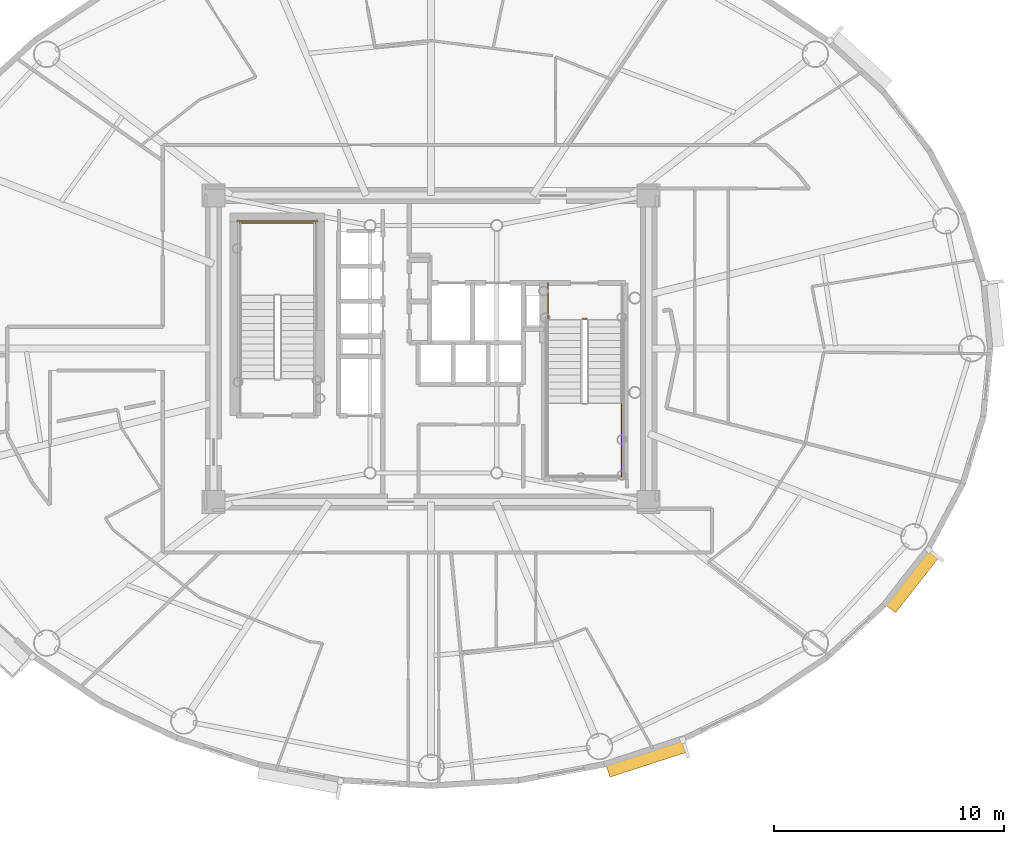
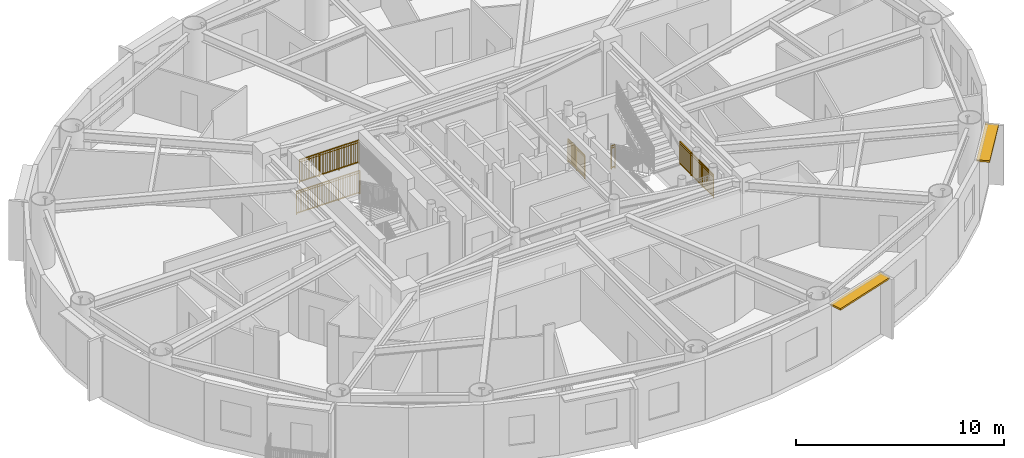
# One storey, part 15 of 16: 5 railings, 2 shading devices.
"""IFC4 building model written with IfcOpenShell, lengths in metres."""

from ifc_helpers import new_model, si_unit, direction, frame, origin, origin_2d, place, context, subcontext, project, spatial, rectangle, extrude, source, transform, mapped, material, layer, layer_set, type_object, element, save


model = new_model("IFC4")

# Units and contexts
model_context = context("Model", 3, precision=1e-05, world=origin(), true_north=direction((0.0, 1.0)))
body_context = subcontext(model_context, "Body", "Model", "MODEL_VIEW")
ifc_project = project(units=[si_unit("LENGTHUNIT", "METRE"), si_unit("AREAUNIT", "SQUARE_METRE"), si_unit("VOLUMEUNIT", "CUBIC_METRE"), si_unit("PLANEANGLEUNIT", "RADIAN"), si_unit("MASSUNIT", "GRAM", prefix="KILO")], contexts=[model_context])

# Site, building, storey
site_placement = place(None, origin())
site = spatial("IfcSite", under=ifc_project, at=site_placement, CompositionType="ELEMENT")
building_placement = place(site_placement, origin())
building = spatial("IfcBuilding", under=site, at=building_placement, Name="Linh Dai School and Residence Tower", CompositionType="ELEMENT")
storey_placement = place(building_placement, frame((0.0, 0.0, 255.300048828125)))
storey = spatial("IfcBuildingStorey", under=building, at=storey_placement, Name="L63", CompositionType="ELEMENT", Elevation=255.300048828125)

# Shading devices
ifc_material_1 = material(Name="Terracotta Ceramic Sunshade", Category="masonry")
ifc_layer = layer(ifc_material_1, 0.10009765625)
ifc_layer_set = layer_set([ifc_layer], Name="Terracotta Ceramic Sunshade")
shading_device_type = type_object("IfcShadingDeviceType", Name="SHD-TC-650", PredefinedType="USERDEFINED", material=ifc_layer_set)
shared_shape_1 = source(origin(), body_context, "Body", "SweptSolid", [
    extrude(rectangle(XDim=3.554443359375, YDim=0.64990234375, at=origin_2d()), origin(), (0.0, 0.0, 1.0), 0.10009765625),
])
shading_device_1_placement = place(storey_placement, frame((45.358154296875, 9.251220703125, 3.3798828125), z_axis=(0.0, 0.0, 1.0), x_axis=(-0.951223997135, -0.308501065272, 0.0)))
element("IfcShadingDevice", 1, at=shading_device_1_placement, inside=storey, type_object=shading_device_type, Name="L63 Terracotta Horizontal Sunshade Band 33", ObjectType="SUNSHADE", PredefinedType="USERDEFINED", context=body_context, shape_type="MappedRepresentation", body=[
    mapped(shared_shape_1, transform((0.0, 0.0, 0.0), x_axis=(1.0, 0.0, 0.0), y_axis=(0.0, 1.0, 0.0), z_axis=(0.0, 0.0, 1.0), scale=1.0)),
])
shared_shape_2 = source(origin(), body_context, "Body", "SweptSolid", [
    extrude(rectangle(XDim=3.095703125, YDim=0.64990234375, at=origin_2d()), origin(), (0.0, 0.0, 1.0), 0.10009765625),
])
shading_device_2_placement = place(storey_placement, frame((56.866455078125, 16.949462890625, 3.3798828125), z_axis=(0.0, 0.0, 1.0), x_axis=(-0.616333598027, -0.787485171888, 0.0)))
element("IfcShadingDevice", 2, at=shading_device_2_placement, inside=storey, type_object=shading_device_type, Name="L63 Terracotta Horizontal Sunshade Band 37", ObjectType="SUNSHADE", PredefinedType="USERDEFINED", context=body_context, shape_type="MappedRepresentation", body=[
    mapped(shared_shape_2, transform((0.0, 0.0, 0.0), x_axis=(1.0, 0.0, 0.0), y_axis=(0.0, 1.0, 0.0), z_axis=(0.0, 0.0, 1.0), scale=1.0)),
])

# Railings
ifc_material_2 = material(Name="Structural Steel S355JR", Category="steel")
railing_type = type_object("IfcRailingType", Name="RL-ST-GUARD-1400", PredefinedType="GUARDRAIL", material=ifc_material_2)
shared_shape_3 = source(origin(), body_context, "Body", "SweptSolid", [
    extrude(rectangle(XDim=0.048095703125, YDim=0.048095703125, at=origin_2d()), frame((0.0, 0.0, 1.3759765625), z_axis=(-1.0, 0.0, 0.0), x_axis=(0.0, -1.0, 0.0)), (0.0, 0.0, 1.0), 3.300048828125),
    extrude(rectangle(XDim=0.048095703125, YDim=0.048095703125, at=origin_2d()), frame((0.0, 0.0, 0.10009765625), z_axis=(-1.0, 0.0, 0.0), x_axis=(0.0, -1.0, 0.0)), (0.0, 0.0, 1.0), 3.300048828125),
    extrude(rectangle(XDim=0.030029296875, YDim=0.030029296875, at=origin_2d()), frame((0.0, 0.0, 1.239990234375), z_axis=(-1.0, 0.0, 0.0), x_axis=(0.0, -1.0, 0.0)), (0.0, 0.0, 1.0), 3.300048828125),
    extrude(rectangle(XDim=0.02001953125, YDim=0.02001953125, at=origin_2d()), frame((-0.09716796875, 0.0, 0.10009765625)), (0.0, 0.0, 1.0), 1.251708984375),
    extrude(rectangle(XDim=0.02001953125, YDim=0.02001953125, at=origin_2d()), frame((-0.194091796875, 0.0, 0.10009765625)), (0.0, 0.0, 1.0), 1.251708984375),
    extrude(rectangle(XDim=0.02001953125, YDim=0.02001953125, at=origin_2d()), frame((-0.291259765625, 0.0, 0.10009765625)), (0.0, 0.0, 1.0), 1.251708984375),
    extrude(rectangle(XDim=0.02001953125, YDim=0.02001953125, at=origin_2d()), frame((-0.38818359375, 0.0, 0.10009765625)), (0.0, 0.0, 1.0), 1.251708984375),
    extrude(rectangle(XDim=0.02001953125, YDim=0.02001953125, at=origin_2d()), frame((-0.4853515625, 0.0, 0.10009765625)), (0.0, 0.0, 1.0), 1.251708984375),
    extrude(rectangle(XDim=0.02001953125, YDim=0.02001953125, at=origin_2d()), frame((-0.582275390625, 0.0, 0.10009765625)), (0.0, 0.0, 1.0), 1.251708984375),
    extrude(rectangle(XDim=0.02001953125, YDim=0.02001953125, at=origin_2d()), frame((-0.679443359375, 0.0, 0.10009765625)), (0.0, 0.0, 1.0), 1.251708984375),
    extrude(rectangle(XDim=0.02001953125, YDim=0.02001953125, at=origin_2d()), frame((-0.7763671875, 0.0, 0.10009765625)), (0.0, 0.0, 1.0), 1.251708984375),
    extrude(rectangle(XDim=0.02001953125, YDim=0.02001953125, at=origin_2d()), frame((-0.87353515625, 0.0, 0.10009765625)), (0.0, 0.0, 1.0), 1.251708984375),
    extrude(rectangle(XDim=0.02001953125, YDim=0.02001953125, at=origin_2d()), frame((-0.970703125, 0.0, 0.10009765625)), (0.0, 0.0, 1.0), 1.251708984375),
    extrude(rectangle(XDim=0.02001953125, YDim=0.02001953125, at=origin_2d()), frame((-1.164794921875, 0.0, 0.10009765625)), (0.0, 0.0, 1.0), 1.251708984375),
    extrude(rectangle(XDim=0.02001953125, YDim=0.02001953125, at=origin_2d()), frame((-1.26171875, 0.0, 0.10009765625)), (0.0, 0.0, 1.0), 1.251708984375),
    extrude(rectangle(XDim=0.02001953125, YDim=0.02001953125, at=origin_2d()), frame((-1.35888671875, 0.0, 0.10009765625)), (0.0, 0.0, 1.0), 1.251708984375),
    extrude(rectangle(XDim=0.02001953125, YDim=0.02001953125, at=origin_2d()), frame((-1.455810546875, 0.0, 0.10009765625)), (0.0, 0.0, 1.0), 1.251708984375),
    extrude(rectangle(XDim=0.02001953125, YDim=0.02001953125, at=origin_2d()), frame((-1.552978515625, 0.0, 0.10009765625)), (0.0, 0.0, 1.0), 1.251708984375),
    extrude(rectangle(XDim=0.02001953125, YDim=0.02001953125, at=origin_2d()), frame((-1.64990234375, 0.0, 0.10009765625)), (0.0, 0.0, 1.0), 1.251708984375),
    extrude(rectangle(XDim=0.02001953125, YDim=0.02001953125, at=origin_2d()), frame((-1.7470703125, 0.0, 0.10009765625)), (0.0, 0.0, 1.0), 1.251708984375),
    extrude(rectangle(XDim=0.02001953125, YDim=0.02001953125, at=origin_2d()), frame((-1.84423828125, 0.0, 0.10009765625)), (0.0, 0.0, 1.0), 1.251708984375),
    extrude(rectangle(XDim=0.02001953125, YDim=0.02001953125, at=origin_2d()), frame((-1.941162109375, 0.0, 0.10009765625)), (0.0, 0.0, 1.0), 1.251708984375),
    extrude(rectangle(XDim=0.02001953125, YDim=0.02001953125, at=origin_2d()), frame((-2.038330078125, 0.0, 0.10009765625)), (0.0, 0.0, 1.0), 1.251708984375),
    extrude(rectangle(XDim=0.02001953125, YDim=0.02001953125, at=origin_2d()), frame((-2.13525390625, 0.0, 0.10009765625)), (0.0, 0.0, 1.0), 1.251708984375),
    extrude(rectangle(XDim=0.02001953125, YDim=0.02001953125, at=origin_2d()), frame((-2.329345703125, 0.0, 0.10009765625)), (0.0, 0.0, 1.0), 1.251708984375),
    extrude(rectangle(XDim=0.02001953125, YDim=0.02001953125, at=origin_2d()), frame((-2.426513671875, 0.0, 0.10009765625)), (0.0, 0.0, 1.0), 1.251708984375),
    extrude(rectangle(XDim=0.02001953125, YDim=0.02001953125, at=origin_2d()), frame((-2.523681640625, 0.0, 0.10009765625)), (0.0, 0.0, 1.0), 1.251708984375),
    extrude(rectangle(XDim=0.02001953125, YDim=0.02001953125, at=origin_2d()), frame((-2.62060546875, 0.0, 0.10009765625)), (0.0, 0.0, 1.0), 1.251708984375),
    extrude(rectangle(XDim=0.02001953125, YDim=0.02001953125, at=origin_2d()), frame((-2.7177734375, 0.0, 0.10009765625)), (0.0, 0.0, 1.0), 1.251708984375),
    extrude(rectangle(XDim=0.02001953125, YDim=0.02001953125, at=origin_2d()), frame((-2.814697265625, 0.0, 0.10009765625)), (0.0, 0.0, 1.0), 1.251708984375),
    extrude(rectangle(XDim=0.02001953125, YDim=0.02001953125, at=origin_2d()), frame((-2.911865234375, 0.0, 0.10009765625)), (0.0, 0.0, 1.0), 1.251708984375),
    extrude(rectangle(XDim=0.02001953125, YDim=0.02001953125, at=origin_2d()), frame((-3.0087890625, 0.0, 0.10009765625)), (0.0, 0.0, 1.0), 1.251708984375),
    extrude(rectangle(XDim=0.02001953125, YDim=0.02001953125, at=origin_2d()), frame((-3.10595703125, 0.0, 0.10009765625)), (0.0, 0.0, 1.0), 1.251708984375),
    extrude(rectangle(XDim=0.02001953125, YDim=0.02001953125, at=origin_2d()), frame((-3.202880859375, 0.0, 0.10009765625)), (0.0, 0.0, 1.0), 1.251708984375),
    extrude(rectangle(XDim=0.0419921875, YDim=0.0419921875, at=origin_2d()), origin(), (0.0, 0.0, 1.0), 1.3759765625),
    extrude(rectangle(XDim=0.0419921875, YDim=0.0419921875, at=origin_2d()), frame((-1.10009765625, 0.0, 0.0)), (0.0, 0.0, 1.0), 1.3759765625),
    extrude(rectangle(XDim=0.0419921875, YDim=0.0419921875, at=origin_2d()), frame((-2.199951171875, 0.0, 0.0)), (0.0, 0.0, 1.0), 1.3759765625),
    extrude(rectangle(XDim=0.0419921875, YDim=0.0419921875, at=origin_2d()), frame((-3.300048828125, 0.0, 0.0)), (0.0, 0.0, 1.0), 1.3759765625),
])
railing_1_placement = place(storey_placement, frame((30.97998046875, 32.449951171875, 1.875)))
element("IfcRailing", 3, at=railing_1_placement, inside=storey, type_object=railing_type, Name="L63 ST1 stair guard 5", PredefinedType="GUARDRAIL", context=body_context, shape_type="MappedRepresentation", body=[
    mapped(shared_shape_3, transform((0.0, 0.0, 0.0), x_axis=(1.0, 0.0, 0.0), y_axis=(0.0, 1.0, 0.0), z_axis=(0.0, 0.0, 1.0), scale=1.0)),
])
shared_shape_4 = source(origin(), body_context, "Body", "SweptSolid", [
    extrude(rectangle(XDim=0.048095703125, YDim=0.048095703125, at=origin_2d()), frame((0.0, 0.0, 1.3759765625), z_axis=(-1.0, 0.0, 0.0), x_axis=(0.0, -1.0, 0.0)), (0.0, 0.0, 1.0), 3.5),
    extrude(rectangle(XDim=0.048095703125, YDim=0.048095703125, at=origin_2d()), frame((0.0, 0.0, 0.10009765625), z_axis=(-1.0, 0.0, 0.0), x_axis=(0.0, -1.0, 0.0)), (0.0, 0.0, 1.0), 3.5),
    extrude(rectangle(XDim=0.030029296875, YDim=0.030029296875, at=origin_2d()), frame((0.0, 0.0, 1.239990234375), z_axis=(-1.0, 0.0, 0.0), x_axis=(0.0, -1.0, 0.0)), (0.0, 0.0, 1.0), 3.5),
    extrude(rectangle(XDim=0.02001953125, YDim=0.02001953125, at=origin_2d()), frame((-0.09716796875, 0.0, 0.10009765625)), (0.0, 0.0, 1.0), 1.251708984375),
    extrude(rectangle(XDim=0.02001953125, YDim=0.02001953125, at=origin_2d()), frame((-0.1943359375, 0.0, 0.10009765625)), (0.0, 0.0, 1.0), 1.251708984375),
    extrude(rectangle(XDim=0.02001953125, YDim=0.02001953125, at=origin_2d()), frame((-0.291748046875, 0.0, 0.10009765625)), (0.0, 0.0, 1.0), 1.251708984375),
    extrude(rectangle(XDim=0.02001953125, YDim=0.02001953125, at=origin_2d()), frame((-0.388916015625, 0.0, 0.10009765625)), (0.0, 0.0, 1.0), 1.251708984375),
    extrude(rectangle(XDim=0.02001953125, YDim=0.02001953125, at=origin_2d()), frame((-0.486083984375, 0.0, 0.10009765625)), (0.0, 0.0, 1.0), 1.251708984375),
    extrude(rectangle(XDim=0.02001953125, YDim=0.02001953125, at=origin_2d()), frame((-0.583251953125, 0.0, 0.10009765625)), (0.0, 0.0, 1.0), 1.251708984375),
    extrude(rectangle(XDim=0.02001953125, YDim=0.02001953125, at=origin_2d()), frame((-0.6806640625, 0.0, 0.10009765625)), (0.0, 0.0, 1.0), 1.251708984375),
    extrude(rectangle(XDim=0.02001953125, YDim=0.02001953125, at=origin_2d()), frame((-0.77783203125, 0.0, 0.10009765625)), (0.0, 0.0, 1.0), 1.251708984375),
    extrude(rectangle(XDim=0.02001953125, YDim=0.02001953125, at=origin_2d()), frame((-0.875, 0.0, 0.10009765625)), (0.0, 0.0, 1.0), 1.251708984375),
    extrude(rectangle(XDim=0.02001953125, YDim=0.02001953125, at=origin_2d()), frame((-0.97216796875, 0.0, 0.10009765625)), (0.0, 0.0, 1.0), 1.251708984375),
    extrude(rectangle(XDim=0.02001953125, YDim=0.02001953125, at=origin_2d()), frame((-1.0693359375, 0.0, 0.10009765625)), (0.0, 0.0, 1.0), 1.251708984375),
    extrude(rectangle(XDim=0.02001953125, YDim=0.02001953125, at=origin_2d()), frame((-1.263916015625, 0.0, 0.10009765625)), (0.0, 0.0, 1.0), 1.251708984375),
    extrude(rectangle(XDim=0.02001953125, YDim=0.02001953125, at=origin_2d()), frame((-1.361083984375, 0.0, 0.10009765625)), (0.0, 0.0, 1.0), 1.251708984375),
    extrude(rectangle(XDim=0.02001953125, YDim=0.02001953125, at=origin_2d()), frame((-1.458251953125, 0.0, 0.10009765625)), (0.0, 0.0, 1.0), 1.251708984375),
    extrude(rectangle(XDim=0.02001953125, YDim=0.02001953125, at=origin_2d()), frame((-1.5556640625, 0.0, 0.10009765625)), (0.0, 0.0, 1.0), 1.251708984375),
    extrude(rectangle(XDim=0.02001953125, YDim=0.02001953125, at=origin_2d()), frame((-1.65283203125, 0.0, 0.10009765625)), (0.0, 0.0, 1.0), 1.251708984375),
    extrude(rectangle(XDim=0.02001953125, YDim=0.02001953125, at=origin_2d()), frame((-1.75, 0.0, 0.10009765625)), (0.0, 0.0, 1.0), 1.251708984375),
    extrude(rectangle(XDim=0.02001953125, YDim=0.02001953125, at=origin_2d()), frame((-1.84716796875, 0.0, 0.10009765625)), (0.0, 0.0, 1.0), 1.251708984375),
    extrude(rectangle(XDim=0.02001953125, YDim=0.02001953125, at=origin_2d()), frame((-1.9443359375, 0.0, 0.10009765625)), (0.0, 0.0, 1.0), 1.251708984375),
    extrude(rectangle(XDim=0.02001953125, YDim=0.02001953125, at=origin_2d()), frame((-2.041748046875, 0.0, 0.10009765625)), (0.0, 0.0, 1.0), 1.251708984375),
    extrude(rectangle(XDim=0.02001953125, YDim=0.02001953125, at=origin_2d()), frame((-2.138916015625, 0.0, 0.10009765625)), (0.0, 0.0, 1.0), 1.251708984375),
    extrude(rectangle(XDim=0.02001953125, YDim=0.02001953125, at=origin_2d()), frame((-2.236083984375, 0.0, 0.10009765625)), (0.0, 0.0, 1.0), 1.251708984375),
    extrude(rectangle(XDim=0.02001953125, YDim=0.02001953125, at=origin_2d()), frame((-2.4306640625, 0.0, 0.10009765625)), (0.0, 0.0, 1.0), 1.251708984375),
    extrude(rectangle(XDim=0.02001953125, YDim=0.02001953125, at=origin_2d()), frame((-2.52783203125, 0.0, 0.10009765625)), (0.0, 0.0, 1.0), 1.251708984375),
    extrude(rectangle(XDim=0.02001953125, YDim=0.02001953125, at=origin_2d()), frame((-2.625, 0.0, 0.10009765625)), (0.0, 0.0, 1.0), 1.251708984375),
    extrude(rectangle(XDim=0.02001953125, YDim=0.02001953125, at=origin_2d()), frame((-2.72216796875, 0.0, 0.10009765625)), (0.0, 0.0, 1.0), 1.251708984375),
    extrude(rectangle(XDim=0.02001953125, YDim=0.02001953125, at=origin_2d()), frame((-2.8193359375, 0.0, 0.10009765625)), (0.0, 0.0, 1.0), 1.251708984375),
    extrude(rectangle(XDim=0.02001953125, YDim=0.02001953125, at=origin_2d()), frame((-2.916748046875, 0.0, 0.10009765625)), (0.0, 0.0, 1.0), 1.251708984375),
    extrude(rectangle(XDim=0.02001953125, YDim=0.02001953125, at=origin_2d()), frame((-3.013916015625, 0.0, 0.10009765625)), (0.0, 0.0, 1.0), 1.251708984375),
    extrude(rectangle(XDim=0.02001953125, YDim=0.02001953125, at=origin_2d()), frame((-3.111083984375, 0.0, 0.10009765625)), (0.0, 0.0, 1.0), 1.251708984375),
    extrude(rectangle(XDim=0.02001953125, YDim=0.02001953125, at=origin_2d()), frame((-3.208251953125, 0.0, 0.10009765625)), (0.0, 0.0, 1.0), 1.251708984375),
    extrude(rectangle(XDim=0.02001953125, YDim=0.02001953125, at=origin_2d()), frame((-3.3056640625, 0.0, 0.10009765625)), (0.0, 0.0, 1.0), 1.251708984375),
    extrude(rectangle(XDim=0.02001953125, YDim=0.02001953125, at=origin_2d()), frame((-3.40283203125, 0.0, 0.10009765625)), (0.0, 0.0, 1.0), 1.251708984375),
    extrude(rectangle(XDim=0.0419921875, YDim=0.0419921875, at=origin_2d()), origin(), (0.0, 0.0, 1.0), 1.3759765625),
    extrude(rectangle(XDim=0.0419921875, YDim=0.0419921875, at=origin_2d()), frame((-1.166748046875, 0.0, 0.0)), (0.0, 0.0, 1.0), 1.3759765625),
    extrude(rectangle(XDim=0.0419921875, YDim=0.0419921875, at=origin_2d()), frame((-2.333251953125, 0.0, 0.0)), (0.0, 0.0, 1.0), 1.3759765625),
    extrude(rectangle(XDim=0.0419921875, YDim=0.0419921875, at=origin_2d()), frame((-3.5, 0.0, 0.0)), (0.0, 0.0, 1.0), 1.3759765625),
])
railing_2_placement = place(storey_placement, frame((31.080078125, 32.550048828125, 0.0)))
element("IfcRailing", 4, at=railing_2_placement, inside=storey, type_object=railing_type, Name="L63 ST1 stair guard 12", PredefinedType="GUARDRAIL", context=body_context, shape_type="MappedRepresentation", body=[
    mapped(shared_shape_4, transform((0.0, 0.0, 0.0), x_axis=(1.0, 0.0, 0.0), y_axis=(0.0, 1.0, 0.0), z_axis=(0.0, 0.0, 1.0), scale=1.0)),
])
shared_shape_5 = source(origin(), body_context, "Body", "SweptSolid", [
    extrude(rectangle(XDim=0.048095703125, YDim=0.048095703125, at=origin_2d()), frame((0.0, 0.0, 1.3759765625), z_axis=(1.0, 0.0, 0.0), x_axis=(0.0, 1.0, 0.0)), (0.0, 0.0, 1.0), 0.199951171875),
    extrude(rectangle(XDim=0.048095703125, YDim=0.048095703125, at=origin_2d()), frame((0.0, 0.0, 0.10009765625), z_axis=(1.0, 0.0, 0.0), x_axis=(0.0, 1.0, 0.0)), (0.0, 0.0, 1.0), 0.199951171875),
    extrude(rectangle(XDim=0.030029296875, YDim=0.030029296875, at=origin_2d()), frame((0.0, 0.0, 1.239990234375), z_axis=(1.0, 0.0, 0.0), x_axis=(0.0, 1.0, 0.0)), (0.0, 0.0, 1.0), 0.199951171875),
    extrude(rectangle(XDim=0.0419921875, YDim=0.0419921875, at=origin_2d()), origin(), (0.0, 0.0, 1.0), 1.3759765625),
    extrude(rectangle(XDim=0.0419921875, YDim=0.0419921875, at=origin_2d()), frame((0.199951171875, 0.0, 0.0)), (0.0, 0.0, 1.0), 1.3759765625),
])
railing_3_placement = place(storey_placement, frame((42.570068359375, 28.300048828125, 0.0)))
element("IfcRailing", 5, at=railing_3_placement, inside=storey, type_object=railing_type, Name="L63 ST2 stair guard 7", PredefinedType="GUARDRAIL", context=body_context, shape_type="MappedRepresentation", body=[
    mapped(shared_shape_5, transform((0.0, 0.0, 0.0), x_axis=(1.0, 0.0, 0.0), y_axis=(0.0, 1.0, 0.0), z_axis=(0.0, 0.0, 1.0), scale=1.0)),
])
shared_shape_6 = source(origin(), body_context, "Body", "SweptSolid", [
    extrude(rectangle(XDim=0.048095703125, YDim=0.048095703125, at=origin_2d()), frame((0.0, 0.0, 1.3759765625), z_axis=(0.0, -1.0, 0.0), x_axis=(1.0, 0.0, 0.0)), (0.0, 0.0, 1.0), 1.60009765625),
    extrude(rectangle(XDim=0.048095703125, YDim=0.048095703125, at=origin_2d()), frame((0.0, 0.0, 0.10009765625), z_axis=(0.0, -1.0, 0.0), x_axis=(1.0, 0.0, 0.0)), (0.0, 0.0, 1.0), 1.60009765625),
    extrude(rectangle(XDim=0.030029296875, YDim=0.030029296875, at=origin_2d()), frame((0.0, 0.0, 1.239990234375), z_axis=(0.0, -1.0, 0.0), x_axis=(1.0, 0.0, 0.0)), (0.0, 0.0, 1.0), 1.60009765625),
    extrude(rectangle(XDim=0.02001953125, YDim=0.02001953125, at=origin_2d()), frame((0.0, -0.09423828125, 0.10009765625)), (0.0, 0.0, 1.0), 1.251708984375),
    extrude(rectangle(XDim=0.02001953125, YDim=0.02001953125, at=origin_2d()), frame((0.0, -0.188232421875, 0.10009765625)), (0.0, 0.0, 1.0), 1.251708984375),
    extrude(rectangle(XDim=0.02001953125, YDim=0.02001953125, at=origin_2d()), frame((0.0, -0.282470703125, 0.10009765625)), (0.0, 0.0, 1.0), 1.251708984375),
    extrude(rectangle(XDim=0.02001953125, YDim=0.02001953125, at=origin_2d()), frame((0.0, -0.37646484375, 0.10009765625)), (0.0, 0.0, 1.0), 1.251708984375),
    extrude(rectangle(XDim=0.02001953125, YDim=0.02001953125, at=origin_2d()), frame((0.0, -0.470703125, 0.10009765625)), (0.0, 0.0, 1.0), 1.251708984375),
    extrude(rectangle(XDim=0.02001953125, YDim=0.02001953125, at=origin_2d()), frame((0.0, -0.564697265625, 0.10009765625)), (0.0, 0.0, 1.0), 1.251708984375),
    extrude(rectangle(XDim=0.02001953125, YDim=0.02001953125, at=origin_2d()), frame((0.0, -0.658935546875, 0.10009765625)), (0.0, 0.0, 1.0), 1.251708984375),
    extrude(rectangle(XDim=0.02001953125, YDim=0.02001953125, at=origin_2d()), frame((0.0, -0.7529296875, 0.10009765625)), (0.0, 0.0, 1.0), 1.251708984375),
    extrude(rectangle(XDim=0.02001953125, YDim=0.02001953125, at=origin_2d()), frame((0.0, -0.84716796875, 0.10009765625)), (0.0, 0.0, 1.0), 1.251708984375),
    extrude(rectangle(XDim=0.02001953125, YDim=0.02001953125, at=origin_2d()), frame((0.0, -0.941162109375, 0.10009765625)), (0.0, 0.0, 1.0), 1.251708984375),
    extrude(rectangle(XDim=0.02001953125, YDim=0.02001953125, at=origin_2d()), frame((0.0, -1.035400390625, 0.10009765625)), (0.0, 0.0, 1.0), 1.251708984375),
    extrude(rectangle(XDim=0.02001953125, YDim=0.02001953125, at=origin_2d()), frame((0.0, -1.12939453125, 0.10009765625)), (0.0, 0.0, 1.0), 1.251708984375),
    extrude(rectangle(XDim=0.02001953125, YDim=0.02001953125, at=origin_2d()), frame((0.0, -1.2236328125, 0.10009765625)), (0.0, 0.0, 1.0), 1.251708984375),
    extrude(rectangle(XDim=0.02001953125, YDim=0.02001953125, at=origin_2d()), frame((0.0, -1.317626953125, 0.10009765625)), (0.0, 0.0, 1.0), 1.251708984375),
    extrude(rectangle(XDim=0.02001953125, YDim=0.02001953125, at=origin_2d()), frame((0.0, -1.411865234375, 0.10009765625)), (0.0, 0.0, 1.0), 1.251708984375),
    extrude(rectangle(XDim=0.02001953125, YDim=0.02001953125, at=origin_2d()), frame((0.0, -1.505859375, 0.10009765625)), (0.0, 0.0, 1.0), 1.251708984375),
    extrude(rectangle(XDim=0.0419921875, YDim=0.0419921875, at=origin_2d()), origin(), (0.0, 0.0, 1.0), 1.3759765625),
    extrude(rectangle(XDim=0.0419921875, YDim=0.0419921875, at=origin_2d()), frame((0.0, -0.800048828125, 0.0)), (0.0, 0.0, 1.0), 1.3759765625),
    extrude(rectangle(XDim=0.0419921875, YDim=0.0419921875, at=origin_2d()), frame((0.0, -1.60009765625, 0.0)), (0.0, 0.0, 1.0), 1.3759765625),
])
railing_4_placement = place(storey_placement, frame((41.070068359375, 29.85009765625, 0.0)))
element("IfcRailing", 6, at=railing_4_placement, inside=storey, type_object=railing_type, Name="L63 ST2 stair guard 8", PredefinedType="GUARDRAIL", context=body_context, shape_type="MappedRepresentation", body=[
    mapped(shared_shape_6, transform((0.0, 0.0, 0.0), x_axis=(1.0, 0.0, 0.0), y_axis=(0.0, 1.0, 0.0), z_axis=(0.0, 0.0, 1.0), scale=1.0)),
])
shared_shape_7 = source(origin(), body_context, "Body", "SweptSolid", [
    extrude(rectangle(XDim=0.048095703125, YDim=0.048095703125, at=origin_2d()), frame((0.0, 0.0, 1.3759765625), z_axis=(0.0, -1.0, 0.0), x_axis=(1.0, 0.0, 0.0)), (0.0, 0.0, 1.0), 3.199951171875),
    extrude(rectangle(XDim=0.048095703125, YDim=0.048095703125, at=origin_2d()), frame((0.0, 0.0, 0.10009765625), z_axis=(0.0, -1.0, 0.0), x_axis=(1.0, 0.0, 0.0)), (0.0, 0.0, 1.0), 3.199951171875),
    extrude(rectangle(XDim=0.030029296875, YDim=0.030029296875, at=origin_2d()), frame((0.0, 0.0, 1.239990234375), z_axis=(0.0, -1.0, 0.0), x_axis=(1.0, 0.0, 0.0)), (0.0, 0.0, 1.0), 3.199951171875),
    extrude(rectangle(XDim=0.02001953125, YDim=0.02001953125, at=origin_2d()), frame((0.0, -0.096923828125, 0.10009765625)), (0.0, 0.0, 1.0), 1.251708984375),
    extrude(rectangle(XDim=0.02001953125, YDim=0.02001953125, at=origin_2d()), frame((0.0, -0.19384765625, 0.10009765625)), (0.0, 0.0, 1.0), 1.251708984375),
    extrude(rectangle(XDim=0.02001953125, YDim=0.02001953125, at=origin_2d()), frame((0.0, -0.291015625, 0.10009765625)), (0.0, 0.0, 1.0), 1.251708984375),
    extrude(rectangle(XDim=0.02001953125, YDim=0.02001953125, at=origin_2d()), frame((0.0, -0.387939453125, 0.10009765625)), (0.0, 0.0, 1.0), 1.251708984375),
    extrude(rectangle(XDim=0.02001953125, YDim=0.02001953125, at=origin_2d()), frame((0.0, -0.48486328125, 0.10009765625)), (0.0, 0.0, 1.0), 1.251708984375),
    extrude(rectangle(XDim=0.02001953125, YDim=0.02001953125, at=origin_2d()), frame((0.0, -0.581787109375, 0.10009765625)), (0.0, 0.0, 1.0), 1.251708984375),
    extrude(rectangle(XDim=0.02001953125, YDim=0.02001953125, at=origin_2d()), frame((0.0, -0.6787109375, 0.10009765625)), (0.0, 0.0, 1.0), 1.251708984375),
    extrude(rectangle(XDim=0.02001953125, YDim=0.02001953125, at=origin_2d()), frame((0.0, -0.775634765625, 0.10009765625)), (0.0, 0.0, 1.0), 1.251708984375),
    extrude(rectangle(XDim=0.02001953125, YDim=0.02001953125, at=origin_2d()), frame((0.0, -0.872802734375, 0.10009765625)), (0.0, 0.0, 1.0), 1.251708984375),
    extrude(rectangle(XDim=0.02001953125, YDim=0.02001953125, at=origin_2d()), frame((0.0, -0.9697265625, 0.10009765625)), (0.0, 0.0, 1.0), 1.251708984375),
    extrude(rectangle(XDim=0.02001953125, YDim=0.02001953125, at=origin_2d()), frame((0.0, -1.16357421875, 0.10009765625)), (0.0, 0.0, 1.0), 1.251708984375),
    extrude(rectangle(XDim=0.02001953125, YDim=0.02001953125, at=origin_2d()), frame((0.0, -1.260498046875, 0.10009765625)), (0.0, 0.0, 1.0), 1.251708984375),
    extrude(rectangle(XDim=0.02001953125, YDim=0.02001953125, at=origin_2d()), frame((0.0, -1.357666015625, 0.10009765625)), (0.0, 0.0, 1.0), 1.251708984375),
    extrude(rectangle(XDim=0.02001953125, YDim=0.02001953125, at=origin_2d()), frame((0.0, -1.45458984375, 0.10009765625)), (0.0, 0.0, 1.0), 1.251708984375),
    extrude(rectangle(XDim=0.02001953125, YDim=0.02001953125, at=origin_2d()), frame((0.0, -1.551513671875, 0.10009765625)), (0.0, 0.0, 1.0), 1.251708984375),
    extrude(rectangle(XDim=0.02001953125, YDim=0.02001953125, at=origin_2d()), frame((0.0, -1.6484375, 0.10009765625)), (0.0, 0.0, 1.0), 1.251708984375),
    extrude(rectangle(XDim=0.02001953125, YDim=0.02001953125, at=origin_2d()), frame((0.0, -1.745361328125, 0.10009765625)), (0.0, 0.0, 1.0), 1.251708984375),
    extrude(rectangle(XDim=0.02001953125, YDim=0.02001953125, at=origin_2d()), frame((0.0, -1.84228515625, 0.10009765625)), (0.0, 0.0, 1.0), 1.251708984375),
    extrude(rectangle(XDim=0.02001953125, YDim=0.02001953125, at=origin_2d()), frame((0.0, -1.939453125, 0.10009765625)), (0.0, 0.0, 1.0), 1.251708984375),
    extrude(rectangle(XDim=0.02001953125, YDim=0.02001953125, at=origin_2d()), frame((0.0, -2.036376953125, 0.10009765625)), (0.0, 0.0, 1.0), 1.251708984375),
    extrude(rectangle(XDim=0.02001953125, YDim=0.02001953125, at=origin_2d()), frame((0.0, -2.230224609375, 0.10009765625)), (0.0, 0.0, 1.0), 1.251708984375),
    extrude(rectangle(XDim=0.02001953125, YDim=0.02001953125, at=origin_2d()), frame((0.0, -2.3271484375, 0.10009765625)), (0.0, 0.0, 1.0), 1.251708984375),
    extrude(rectangle(XDim=0.02001953125, YDim=0.02001953125, at=origin_2d()), frame((0.0, -2.42431640625, 0.10009765625)), (0.0, 0.0, 1.0), 1.251708984375),
    extrude(rectangle(XDim=0.02001953125, YDim=0.02001953125, at=origin_2d()), frame((0.0, -2.521240234375, 0.10009765625)), (0.0, 0.0, 1.0), 1.251708984375),
    extrude(rectangle(XDim=0.02001953125, YDim=0.02001953125, at=origin_2d()), frame((0.0, -2.6181640625, 0.10009765625)), (0.0, 0.0, 1.0), 1.251708984375),
    extrude(rectangle(XDim=0.02001953125, YDim=0.02001953125, at=origin_2d()), frame((0.0, -2.715087890625, 0.10009765625)), (0.0, 0.0, 1.0), 1.251708984375),
    extrude(rectangle(XDim=0.02001953125, YDim=0.02001953125, at=origin_2d()), frame((0.0, -2.81201171875, 0.10009765625)), (0.0, 0.0, 1.0), 1.251708984375),
    extrude(rectangle(XDim=0.02001953125, YDim=0.02001953125, at=origin_2d()), frame((0.0, -2.908935546875, 0.10009765625)), (0.0, 0.0, 1.0), 1.251708984375),
    extrude(rectangle(XDim=0.02001953125, YDim=0.02001953125, at=origin_2d()), frame((0.0, -3.006103515625, 0.10009765625)), (0.0, 0.0, 1.0), 1.251708984375),
    extrude(rectangle(XDim=0.02001953125, YDim=0.02001953125, at=origin_2d()), frame((0.0, -3.10302734375, 0.10009765625)), (0.0, 0.0, 1.0), 1.251708984375),
    extrude(rectangle(XDim=0.0419921875, YDim=0.0419921875, at=origin_2d()), origin(), (0.0, 0.0, 1.0), 1.3759765625),
    extrude(rectangle(XDim=0.0419921875, YDim=0.0419921875, at=origin_2d()), frame((0.0, -1.066650390625, 0.0)), (0.0, 0.0, 1.0), 1.3759765625),
    extrude(rectangle(XDim=0.0419921875, YDim=0.0419921875, at=origin_2d()), frame((0.0, -2.13330078125, 0.0)), (0.0, 0.0, 1.0), 1.3759765625),
    extrude(rectangle(XDim=0.0419921875, YDim=0.0419921875, at=origin_2d()), frame((0.0, -3.199951171875, 0.0)), (0.0, 0.0, 1.0), 1.3759765625),
])
railing_5_placement = place(storey_placement, frame((44.27001953125, 24.64990234375, 1.875)))
element("IfcRailing", 7, at=railing_5_placement, inside=storey, type_object=railing_type, Name="L63 ST2 stair guard 4", PredefinedType="GUARDRAIL", context=body_context, shape_type="MappedRepresentation", body=[
    mapped(shared_shape_7, transform((0.0, 0.0, 0.0), x_axis=(1.0, 0.0, 0.0), y_axis=(0.0, 1.0, 0.0), z_axis=(0.0, 0.0, 1.0), scale=1.0)),
])

save(model, "model.ifc")
